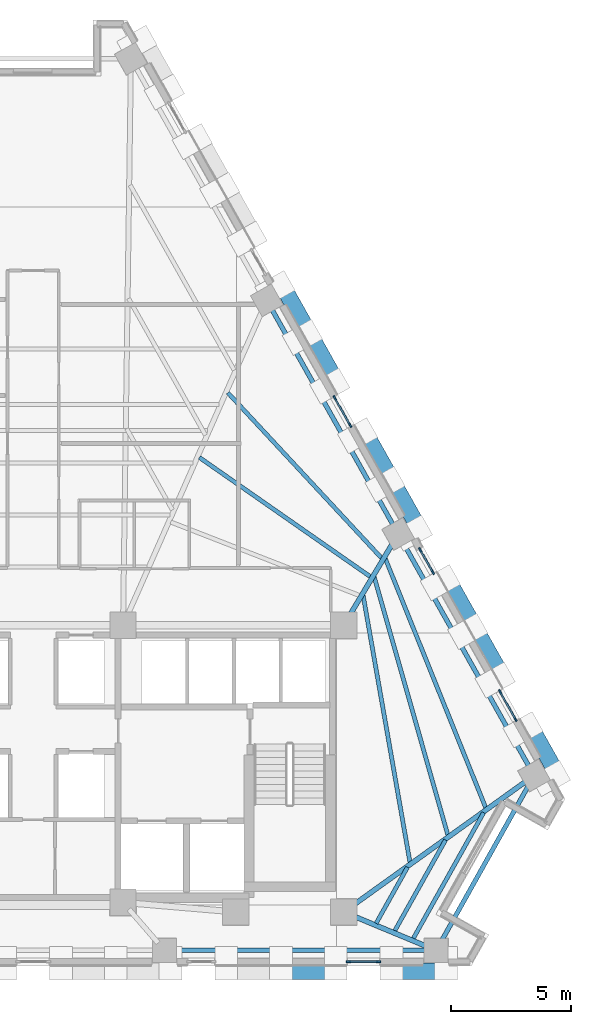
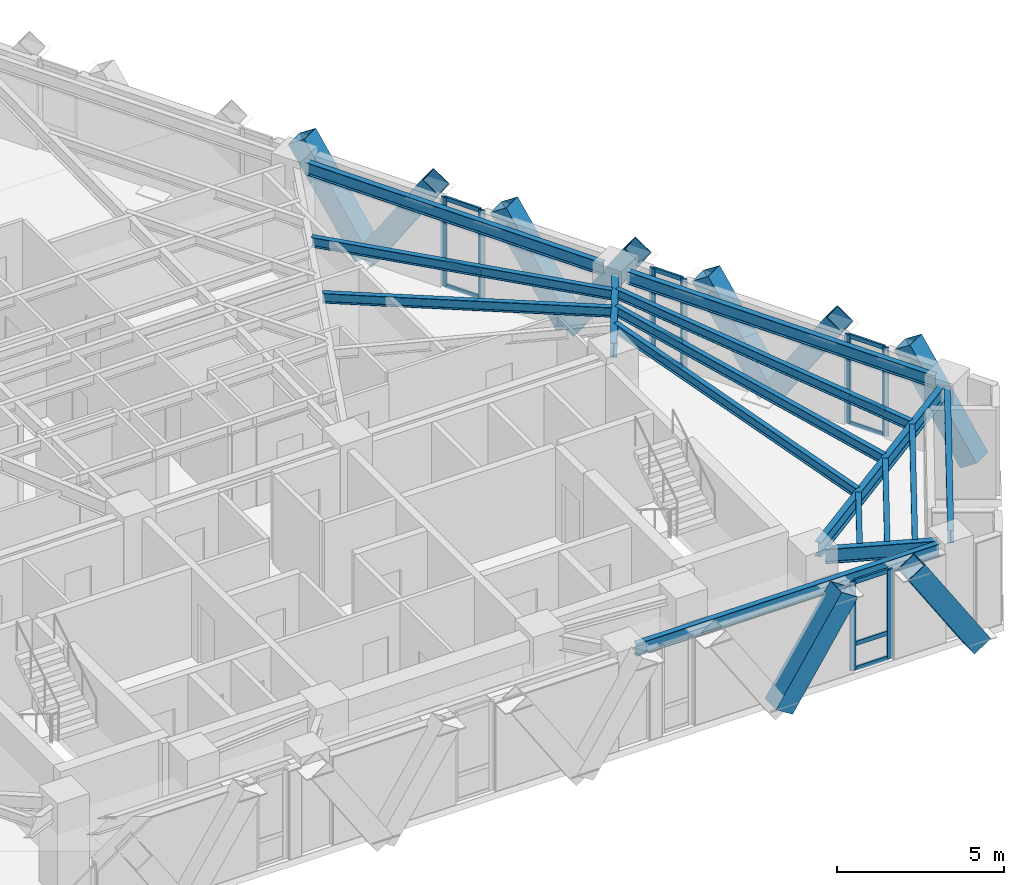
# One storey, part 4 of 13: 29 members, 15 beams, 4 elements without a shape of their own.
"""IFC4 building model written with IfcOpenShell, lengths in metres."""

import ifcopenshell
import ifcopenshell.guid

model = None  # the IFC model being written
_history = None  # IfcOwnerHistory: only IFC2X3 demands one
_inside = {}  # id of a spatial element -> (the spatial element, [elements in it])
_under = {}  # id of a project, library or spatial element -> (it, [spatial elements below it])
_declared = {}  # id of a project -> (the project, [libraries it declares])
_typed = {}  # id of a type object -> (the type object, [elements of that type])
_made_of = {}  # id of a material, layer set ... -> (it, [elements and type objects made of it])


def new_model(schema):
    """Start an empty IFC model of exactly this schema.

    Asked for "IFC4X3", IfcOpenShell would pick the latest addendum, in which some entities
    have other attributes; the version numbers below select the first issue.
    IFC2X3 requires an IfcOwnerHistory on every rooted entity: one is made here for all.
    """
    global model, _history
    if schema == "IFC4X3":
        model = ifcopenshell.file(schema_version=(4, 3, 0, 0))
    else:
        model = ifcopenshell.file(schema=schema)
    _inside.clear()
    _under.clear()
    _declared.clear()
    _typed.clear()
    _made_of.clear()
    _history = None
    if model.schema == "IFC2X3":
        org = make("IfcOrganization", Name="unknown")
        user = make(
            "IfcPersonAndOrganization",
            ThePerson=make("IfcPerson", FamilyName="unknown"),
            TheOrganization=org,
        )
        app = make(
            "IfcApplication",
            ApplicationDeveloper=org,
            Version="unknown",
            ApplicationFullName="unknown",
            ApplicationIdentifier="unknown",
        )
        _history = make(
            "IfcOwnerHistory",
            OwningUser=user,
            OwningApplication=app,
            ChangeAction="ADDED",
            CreationDate=0,
        )
    return model


def make(cls, **values):
    """One entity of the class cls with the attributes given. An attribute that is None is left unset."""
    return model.create_entity(
        cls, **{name: value for name, value in values.items() if value is not None}
    )


def rooted(cls, **values):
    """An entity with a GlobalId (a new one), such as an element, a storey or a relation."""
    return make(cls, GlobalId=ifcopenshell.guid.new(), OwnerHistory=_history, **values)


def si_unit(unit_type, name, prefix=None):
    """IfcSIUnit, for example si_unit("LENGTHUNIT", "METRE", prefix="MILLI")."""
    return make("IfcSIUnit", UnitType=unit_type, Prefix=prefix, Name=name)


def assignment(units):
    """IfcUnitAssignment: the units of a project."""
    return None if units is None else make("IfcUnitAssignment", Units=units)


def point(xyz):
    """IfcCartesianPoint."""
    return None if xyz is None else make("IfcCartesianPoint", Coordinates=xyz)


def direction(xyz):
    """IfcDirection."""
    return None if xyz is None else make("IfcDirection", DirectionRatios=xyz)


def frame(location, z_axis=None, x_axis=None):
    """IfcAxis2Placement3D, a coordinate frame: its origin and axes. An axis left out is left unset."""
    return make(
        "IfcAxis2Placement3D",
        Location=point(location),
        Axis=direction(z_axis),
        RefDirection=direction(x_axis),
    )


def frame_2d(location, x_axis=None):
    """IfcAxis2Placement2D, a coordinate frame in the plane: its origin and x axis."""
    return make(
        "IfcAxis2Placement2D", Location=point(location), RefDirection=direction(x_axis)
    )


def origin():
    """The frame at (0, 0, 0) with its axes left unset."""
    return frame((0.0, 0.0, 0.0))


def origin_2d():
    """The frame at (0, 0) in the plane with its x axis left unset."""
    return frame_2d((0.0, 0.0))


def place(relative_to, where):
    """IfcLocalPlacement: puts the frame where relative to a parent placement (None: the world)."""
    return make(
        "IfcLocalPlacement", PlacementRelTo=relative_to, RelativePlacement=where
    )


def context(
    kind, dimensions, precision=None, world=None, true_north=None, identifier=None
):
    """IfcGeometricRepresentationContext, for example the 3D "Model" context."""
    return make(
        "IfcGeometricRepresentationContext",
        ContextIdentifier=identifier,
        ContextType=kind,
        CoordinateSpaceDimension=dimensions,
        Precision=precision,
        WorldCoordinateSystem=world,
        TrueNorth=true_north,
    )


def subcontext(parent, identifier, kind, view, scale=None):
    """IfcGeometricRepresentationSubContext, for example "Body" below "Model"."""
    return make(
        "IfcGeometricRepresentationSubContext",
        ContextIdentifier=identifier,
        ContextType=kind,
        ParentContext=parent,
        TargetScale=scale,
        TargetView=view,
    )


def project(units=None, contexts=None):
    """IfcProject with its units and contexts."""
    return rooted(
        "IfcProject",
        Name="project",
        RepresentationContexts=contexts,
        UnitsInContext=assignment(units),
    )


def spatial(cls, under=None, at=None, **own):
    """A site, building, storey or space (cls), placed at a placement, below another one or the project."""
    s = rooted(cls, ObjectPlacement=at, **own)
    if under is not None:
        _under.setdefault(under.id(), (under, []))[1].append(s)
    return s


def profile(cls, at=None, kind="AREA", **sizes):
    """A parametric profile (cls). Its sizes go by their IFC names, for example OverallWidth=200.0."""
    return make(cls, ProfileType=kind, Position=at, **sizes)


def rectangle(**sizes):
    """IfcRectangleProfileDef."""
    return profile("IfcRectangleProfileDef", **sizes)


def hollow_rectangle(**sizes):
    """IfcRectangleHollowProfileDef."""
    return profile("IfcRectangleHollowProfileDef", **sizes)


def i_section(**sizes):
    """IfcIShapeProfileDef."""
    return profile("IfcIShapeProfileDef", **sizes)


def extrude(swept, where, along, depth):
    """IfcExtrudedAreaSolid: the profile swept, set in the frame where, extruded along a direction by depth."""
    return make(
        "IfcExtrudedAreaSolid",
        SweptArea=swept,
        Position=where,
        ExtrudedDirection=direction(along),
        Depth=depth,
    )


def shape(context_of_items, identifier, shape_type, items):
    """IfcShapeRepresentation: the items that make up one representation, for example the "Body"."""
    return make(
        "IfcShapeRepresentation",
        ContextOfItems=context_of_items,
        RepresentationIdentifier=identifier,
        RepresentationType=shape_type,
        Items=items,
    )


def material(Name=None, Category=None):
    """IfcMaterial."""
    return make("IfcMaterial", Name=Name, Category=Category)


def material_profile(
    of_material, cross_section, Name=None, Category=None, Priority=None
):
    """IfcMaterialProfile: a cross section and its material."""
    return make(
        "IfcMaterialProfile",
        Name=Name,
        Material=of_material,
        Profile=cross_section,
        Priority=Priority,
        Category=Category,
    )


def profile_set(profiles, Name=None, composite=None):
    """IfcMaterialProfileSet."""
    return make(
        "IfcMaterialProfileSet",
        Name=Name,
        MaterialProfiles=profiles,
        CompositeProfile=composite,
    )


def made_of(thing, what):
    """Note that an element or type object is made of a material, layer set ...; save() writes the relation."""
    if what is not None:
        _made_of.setdefault(what.id(), (what, []))[1].append(thing)
    return thing


def type_object(cls, material=None, **own):
    """A type object (cls), such as IfcWallType, which elements share."""
    return made_of(rooted(cls, **own), material)


def element(
    cls,
    number,
    at=None,
    inside=None,
    cuts=None,
    type_object=None,
    material=None,
    context=None,
    identifier="Body",
    shape_type=None,
    held_by="IfcProductDefinitionShape",
    body=None,
    shapes=None,
    **own,
):
    """One element of the class cls, such as IfcWall. Its Tag is "e" and its number.

    at: its placement. inside: the storey or other place that contains it. cuts: it is an
    opening in that element (IfcRelVoidsElement). A single representation is given by context,
    identifier, shape_type and body (its items); several are given by shapes. held_by: the class
    of the entity that holds the representations. save() writes the other relations.
    """
    e = rooted(cls, Tag="e%d" % number, ObjectPlacement=at, **own)
    if body is not None:
        shapes = [shape(context, identifier, shape_type, body)]
    if shapes is not None:
        e.Representation = make(held_by, Representations=shapes)
    if inside is not None:
        _inside.setdefault(inside.id(), (inside, []))[1].append(e)
    if cuts is not None:
        rooted(
            "IfcRelVoidsElement", RelatingBuildingElement=cuts, RelatedOpeningElement=e
        )
    if type_object is not None:
        _typed.setdefault(type_object.id(), (type_object, []))[1].append(e)
    return made_of(e, material)


def aggregate(whole, parts):
    """IfcRelAggregates: a whole, such as a stair, and the parts it consists of."""
    return rooted("IfcRelAggregates", RelatingObject=whole, RelatedObjects=parts)


def save(model, path):
    """Write the relations noted so far, then the file.

    IfcRelAggregates (storeys below a building ...), IfcRelContainedInSpatialStructure (elements
    in a storey), IfcRelDefinesByType, IfcRelAssociatesMaterial and IfcRelDeclares: one each for
    every whole, place, type object, material and project.
    """
    for whole, parts in _under.values():
        aggregate(whole, parts)
    for where, things in _inside.values():
        rooted(
            "IfcRelContainedInSpatialStructure",
            RelatedElements=things,
            RelatingStructure=where,
        )
    for kind, things in _typed.values():
        rooted("IfcRelDefinesByType", RelatedObjects=things, RelatingType=kind)
    for what, things in _made_of.values():
        rooted("IfcRelAssociatesMaterial", RelatedObjects=things, RelatingMaterial=what)
    for by, libraries in _declared.values():
        rooted("IfcRelDeclares", RelatingContext=by, RelatedDefinitions=libraries)
    model.write(path)


model = new_model("IFC4")

# Units and contexts
model_context = context("Model", 3, precision=1e-05, world=origin(), true_north=direction((0.0, 1.0)))
body_context = subcontext(model_context, "Body", "Model", "MODEL_VIEW")
ifc_project = project(units=[si_unit("LENGTHUNIT", "METRE"), si_unit("AREAUNIT", "SQUARE_METRE"), si_unit("VOLUMEUNIT", "CUBIC_METRE"), si_unit("PLANEANGLEUNIT", "RADIAN"), si_unit("MASSUNIT", "GRAM", prefix="KILO")], contexts=[model_context])

# Site, building, storey
site_placement = place(None, origin())
site = spatial("IfcSite", under=ifc_project, at=site_placement, CompositionType="ELEMENT")
building_placement = place(site_placement, origin())
building = spatial("IfcBuilding", under=site, at=building_placement, Name="Quenlor Broadcast Tower", CompositionType="ELEMENT")
storey_placement = place(building_placement, frame((0.0, 0.0, 151.0)))
storey = spatial("IfcBuildingStorey", under=building, at=storey_placement, Name="L41", CompositionType="ELEMENT", Elevation=151.0)

# Curtain wall, members
ifc_material_1 = material(Name="Architectural Terracotta and Low-E Glazing", Category="masonry")
curtain_wall_type = type_object("IfcCurtainWallType", Name="Unitised Terracotta Curtain Wall System Z3", PredefinedType="NOTDEFINED", material=ifc_material_1)
curtain_wall_1_placement = place(storey_placement, origin())
curtain_wall_1 = element("IfcCurtainWall", 1, at=curtain_wall_1_placement, inside=storey, type_object=curtain_wall_type, Name="L41 Curtain Wall CW3 (L41-SA-G1)", PredefinedType="NOTDEFINED")
ifc_material_2 = material(Name="Aluminium 6063-T6", Category="aluminium")
ifc_material_profile_1 = material_profile(ifc_material_2, rectangle(XDim=0.070068359375, YDim=0.18994140625, at=origin_2d()))
ifc_profile_set_1 = profile_set([ifc_material_profile_1], Name="Aluminium 6063-T6 MULL70x190")
member_type_1 = type_object("IfcMemberType", Name="CW3 Aluminium Mullion MULL_CW3", PredefinedType="MULLION", material=ifc_profile_set_1)
member_1_placement = place(storey_placement, frame((14.409912109375, -18.824951171875, 0.0), z_axis=(0.0, 0.0, 1.0), x_axis=(0.0, -1.0, 0.0)))
member_1 = element("IfcMember", 2, at=member_1_placement, type_object=member_type_1, Name="CW3 mullion 1", PredefinedType="MULLION", context=body_context, shape_type="SweptSolid", body=[
    extrude(rectangle(XDim=0.070068359375, YDim=0.18994140625, at=origin_2d()), origin(), (0.0, 0.0, 1.0), 3.25),
])
member_2_placement = place(storey_placement, frame((13.14208984375, -18.824951171875, 0.0), z_axis=(0.0, 0.0, 1.0), x_axis=(0.0, -1.0, 0.0)))
member_2 = element("IfcMember", 3, at=member_2_placement, type_object=member_type_1, Name="CW3 mullion 2", PredefinedType="MULLION", context=body_context, shape_type="SweptSolid", body=[
    extrude(rectangle(XDim=0.070068359375, YDim=0.18994140625, at=origin_2d()), origin(), (0.0, 0.0, 1.0), 3.25),
])

curtain_wall_2_placement = place(storey_placement, origin())
curtain_wall_2 = element("IfcCurtainWall", 4, at=curtain_wall_2_placement, inside=storey, type_object=curtain_wall_type, Name="L41 Curtain Wall CW3 (L41-NEC-G1)", PredefinedType="NOTDEFINED")
member_3_placement = place(storey_placement, frame((16.137939453125, -1.646728515625, 0.0), z_axis=(0.0, 0.0, 1.0), x_axis=(0.871580169247, 0.490253004657, 0.0)))
member_3 = element("IfcMember", 5, at=member_3_placement, type_object=member_type_1, Name="CW3 mullion 1", PredefinedType="MULLION", context=body_context, shape_type="SweptSolid", body=[
    extrude(rectangle(XDim=0.070068359375, YDim=0.18994140625, at=origin_2d()), origin(), (0.0, 0.0, 1.0), 3.25),
])
member_4_placement = place(storey_placement, frame((16.6689453125, -2.5908203125, 0.0), z_axis=(0.0, 0.0, 1.0), x_axis=(0.871580169247, 0.490253004657, 0.0)))
member_4 = element("IfcMember", 6, at=member_4_placement, type_object=member_type_1, Name="CW3 mullion 2", PredefinedType="MULLION", context=body_context, shape_type="SweptSolid", body=[
    extrude(rectangle(XDim=0.070068359375, YDim=0.18994140625, at=origin_2d()), origin(), (0.0, 0.0, 1.0), 3.25),
])

curtain_wall_3_placement = place(storey_placement, origin())
curtain_wall_3 = element("IfcCurtainWall", 7, at=curtain_wall_3_placement, inside=storey, type_object=curtain_wall_type, Name="L41 Curtain Wall CW3 (L41-NEC-G2)", PredefinedType="NOTDEFINED")
member_5_placement = place(storey_placement, frame((19.47021484375, -7.570556640625, 0.0), z_axis=(0.0, 0.0, 1.0), x_axis=(0.871575537123, 0.490261239636, 0.0)))
member_5 = element("IfcMember", 8, at=member_5_placement, type_object=member_type_1, Name="CW3 mullion 1", PredefinedType="MULLION", context=body_context, shape_type="SweptSolid", body=[
    extrude(rectangle(XDim=0.070068359375, YDim=0.18994140625, at=origin_2d()), origin(), (0.0, 0.0, 1.0), 3.25),
])
member_6_placement = place(storey_placement, frame((20.1171875, -8.720703125, 0.0), z_axis=(0.0, 0.0, 1.0), x_axis=(0.871575537123, 0.490261239636, 0.0)))
member_6 = element("IfcMember", 9, at=member_6_placement, type_object=member_type_1, Name="CW3 mullion 2", PredefinedType="MULLION", context=body_context, shape_type="SweptSolid", body=[
    extrude(rectangle(XDim=0.070068359375, YDim=0.18994140625, at=origin_2d()), origin(), (0.0, 0.0, 1.0), 3.25),
])

curtain_wall_4_placement = place(storey_placement, origin())
curtain_wall_4 = element("IfcCurtainWall", 10, at=curtain_wall_4_placement, inside=storey, type_object=curtain_wall_type, Name="L41 Curtain Wall CW3 (L41-NE-G1)", PredefinedType="NOTDEFINED")
member_7_placement = place(storey_placement, frame((12.573974609375, 4.689208984375, 0.0), z_axis=(0.0, 0.0, 1.0), x_axis=(0.871562085714, 0.490285152484, 0.0)))
member_7 = element("IfcMember", 11, at=member_7_placement, type_object=member_type_1, Name="CW3 mullion 1", PredefinedType="MULLION", context=body_context, shape_type="SweptSolid", body=[
    extrude(rectangle(XDim=0.070068359375, YDim=0.18994140625, at=origin_2d()), origin(), (0.0, 0.0, 1.0), 3.25),
])
member_8_placement = place(storey_placement, frame((13.220947265625, 3.5390625, 0.0), z_axis=(0.0, 0.0, 1.0), x_axis=(0.871562085714, 0.490285152484, 0.0)))
member_8 = element("IfcMember", 12, at=member_8_placement, type_object=member_type_1, Name="CW3 mullion 2", PredefinedType="MULLION", context=body_context, shape_type="SweptSolid", body=[
    extrude(rectangle(XDim=0.070068359375, YDim=0.18994140625, at=origin_2d()), origin(), (0.0, 0.0, 1.0), 3.25),
])

# Member
ifc_material_3 = material(Name="Aluminium 6063-T6", Category="aluminium")
ifc_material_profile_2 = material_profile(ifc_material_3, rectangle(XDim=0.070068359375, YDim=0.155029296875, at=origin_2d()))
ifc_profile_set_2 = profile_set([ifc_material_profile_2], Name="Aluminium 6063-T6 TRAN70x155")
member_type_2 = type_object("IfcMemberType", Name="CW3 Aluminium Transom TRAN_CW3", PredefinedType="USERDEFINED", material=ifc_profile_set_2)
member_9_placement = place(storey_placement, frame((14.375, -18.824951171875, 0.034912109375), z_axis=(-1.0, 0.0, 0.0), x_axis=(0.0, -1.0, 0.0)))
member_9 = element("IfcMember", 13, at=member_9_placement, type_object=member_type_2, Name="CW3 transom 1.1", ObjectType="TRANSOM", PredefinedType="USERDEFINED", context=body_context, shape_type="SweptSolid", body=[
    extrude(rectangle(XDim=0.070068359375, YDim=0.155029296875, at=origin_2d()), origin(), (0.0, 0.0, 1.0), 1.197998046875),
])

member_10_placement = place(storey_placement, frame((14.375, -18.824951171875, 0.949951171875), z_axis=(-1.0, 0.0, 0.0), x_axis=(0.0, -1.0, 0.0)))
member_10 = element("IfcMember", 14, at=member_10_placement, type_object=member_type_2, Name="CW3 transom 1.2", ObjectType="TRANSOM", PredefinedType="USERDEFINED", context=body_context, shape_type="SweptSolid", body=[
    extrude(rectangle(XDim=0.070068359375, YDim=0.155029296875, at=origin_2d()), origin(), (0.0, 0.0, 1.0), 1.197998046875),
])

member_11_placement = place(storey_placement, frame((14.375, -18.824951171875, 3.215087890625), z_axis=(-1.0, 0.0, 0.0), x_axis=(0.0, -1.0, 0.0)))
member_11 = element("IfcMember", 15, at=member_11_placement, type_object=member_type_2, Name="CW3 transom 1.3", ObjectType="TRANSOM", PredefinedType="USERDEFINED", context=body_context, shape_type="SweptSolid", body=[
    extrude(rectangle(XDim=0.070068359375, YDim=0.155029296875, at=origin_2d()), origin(), (0.0, 0.0, 1.0), 1.197998046875),
])

aggregate(curtain_wall_1, [member_1, member_2, member_9, member_10, member_11])

member_12_placement = place(storey_placement, frame((16.1552734375, -1.67724609375, 0.034912109375), z_axis=(0.49015826449, -0.871633452635, 0.0), x_axis=(0.871633452635, 0.49015826449, 0.0)))
member_12 = element("IfcMember", 16, at=member_12_placement, type_object=member_type_2, Name="CW3 transom 1.1", ObjectType="TRANSOM", PredefinedType="USERDEFINED", context=body_context, shape_type="SweptSolid", body=[
    extrude(rectangle(XDim=0.070068359375, YDim=0.155029296875, at=origin_2d()), origin(), (0.0, 0.0, 1.0), 1.01318359375),
])

member_13_placement = place(storey_placement, frame((16.1552734375, -1.67724609375, 0.949951171875), z_axis=(0.49015826449, -0.871633452635, 0.0), x_axis=(0.871633452635, 0.49015826449, 0.0)))
member_13 = element("IfcMember", 17, at=member_13_placement, type_object=member_type_2, Name="CW3 transom 1.2", ObjectType="TRANSOM", PredefinedType="USERDEFINED", context=body_context, shape_type="SweptSolid", body=[
    extrude(rectangle(XDim=0.070068359375, YDim=0.155029296875, at=origin_2d()), origin(), (0.0, 0.0, 1.0), 1.01318359375),
])

member_14_placement = place(storey_placement, frame((16.1552734375, -1.67724609375, 3.215087890625), z_axis=(0.49015826449, -0.871633452635, 0.0), x_axis=(0.871633452635, 0.49015826449, 0.0)))
member_14 = element("IfcMember", 18, at=member_14_placement, type_object=member_type_2, Name="CW3 transom 1.3", ObjectType="TRANSOM", PredefinedType="USERDEFINED", context=body_context, shape_type="SweptSolid", body=[
    extrude(rectangle(XDim=0.070068359375, YDim=0.155029296875, at=origin_2d()), origin(), (0.0, 0.0, 1.0), 1.01318359375),
])

aggregate(curtain_wall_2, [member_3, member_4, member_12, member_13, member_14])

member_15_placement = place(storey_placement, frame((19.4873046875, -7.60107421875, 0.034912109375), z_axis=(0.490363266059, -0.871518139398, 0.0), x_axis=(0.871518139398, 0.490363266059, 0.0)))
member_15 = element("IfcMember", 19, at=member_15_placement, type_object=member_type_2, Name="CW3 transom 1.1", ObjectType="TRANSOM", PredefinedType="USERDEFINED", context=body_context, shape_type="SweptSolid", body=[
    extrude(rectangle(XDim=0.070068359375, YDim=0.155029296875, at=origin_2d()), origin(), (0.0, 0.0, 1.0), 1.249755859375),
])

member_16_placement = place(storey_placement, frame((19.4873046875, -7.60107421875, 0.949951171875), z_axis=(0.490363266059, -0.871518139398, 0.0), x_axis=(0.871518139398, 0.490363266059, 0.0)))
member_16 = element("IfcMember", 20, at=member_16_placement, type_object=member_type_2, Name="CW3 transom 1.2", ObjectType="TRANSOM", PredefinedType="USERDEFINED", context=body_context, shape_type="SweptSolid", body=[
    extrude(rectangle(XDim=0.070068359375, YDim=0.155029296875, at=origin_2d()), origin(), (0.0, 0.0, 1.0), 1.249755859375),
])

member_17_placement = place(storey_placement, frame((19.4873046875, -7.60107421875, 3.215087890625), z_axis=(0.490363266059, -0.871518139398, 0.0), x_axis=(0.871518139398, 0.490363266059, 0.0)))
member_17 = element("IfcMember", 21, at=member_17_placement, type_object=member_type_2, Name="CW3 transom 1.3", ObjectType="TRANSOM", PredefinedType="USERDEFINED", context=body_context, shape_type="SweptSolid", body=[
    extrude(rectangle(XDim=0.070068359375, YDim=0.155029296875, at=origin_2d()), origin(), (0.0, 0.0, 1.0), 1.249755859375),
])

aggregate(curtain_wall_3, [member_5, member_6, member_15, member_16, member_17])

member_18_placement = place(storey_placement, frame((12.591064453125, 4.65869140625, 0.034912109375), z_axis=(0.490363266059, -0.871518139398, 0.0), x_axis=(0.871518139398, 0.490363266059, 0.0)))
member_18 = element("IfcMember", 22, at=member_18_placement, type_object=member_type_2, Name="CW3 transom 1.1", ObjectType="TRANSOM", PredefinedType="USERDEFINED", context=body_context, shape_type="SweptSolid", body=[
    extrude(rectangle(XDim=0.070068359375, YDim=0.155029296875, at=origin_2d()), origin(), (0.0, 0.0, 1.0), 1.249755859375),
])

member_19_placement = place(storey_placement, frame((12.591064453125, 4.65869140625, 0.949951171875), z_axis=(0.490363266059, -0.871518139398, 0.0), x_axis=(0.871518139398, 0.490363266059, 0.0)))
member_19 = element("IfcMember", 23, at=member_19_placement, type_object=member_type_2, Name="CW3 transom 1.2", ObjectType="TRANSOM", PredefinedType="USERDEFINED", context=body_context, shape_type="SweptSolid", body=[
    extrude(rectangle(XDim=0.070068359375, YDim=0.155029296875, at=origin_2d()), origin(), (0.0, 0.0, 1.0), 1.249755859375),
])

member_20_placement = place(storey_placement, frame((12.591064453125, 4.65869140625, 3.215087890625), z_axis=(0.490363266059, -0.871518139398, 0.0), x_axis=(0.871518139398, 0.490363266059, 0.0)))
member_20 = element("IfcMember", 24, at=member_20_placement, type_object=member_type_2, Name="CW3 transom 1.3", ObjectType="TRANSOM", PredefinedType="USERDEFINED", context=body_context, shape_type="SweptSolid", body=[
    extrude(rectangle(XDim=0.070068359375, YDim=0.155029296875, at=origin_2d()), origin(), (0.0, 0.0, 1.0), 1.249755859375),
])

aggregate(curtain_wall_4, [member_7, member_8, member_18, member_19, member_20])

# Members
ifc_material_4 = material(Name="Steel S355", Category="steel")
ifc_material_profile_3 = material_profile(ifc_material_4, hollow_rectangle(XDim=0.679931640625, YDim=0.679931640625, WallThickness=0.02490234375, at=origin_2d()))
ifc_profile_set_3 = profile_set([ifc_material_profile_3], Name="Steel S355 RHS680x680x25")
member_type_3 = type_object("IfcMemberType", Name="Perimeter Diagonal Lattice Brace Z3-Z4 Steel S355 RHS680x25", PredefinedType="BRACE", material=ifc_profile_set_3)
for number, where, z_axis, x_axis, name in (
    (25, (17.206298828125, -19.219970703125, -0.1201171875), (-0.543901560697, 0.0, 0.839149028643), (0.0, -1.0, 0.0), "L41 Perimeter Diamond Lattice S-C1S"),
    (26, (10.345703125, -19.219970703125, -0.1201171875), (0.543901560697, 0.0, 0.839149028643), (0.0, 1.0, 0.0), "L41 Perimeter Diamond Lattice S-C1B"),
):
    element("IfcMember", number, at=place(storey_placement, frame(where, z_axis=z_axis, x_axis=x_axis)), inside=storey, type_object=member_type_3, Name=name, PredefinedType="BRACE", context=body_context, shape_type="SweptSolid", body=[
        extrude(hollow_rectangle(XDim=0.679931640625, YDim=0.679931640625, WallThickness=0.02490234375, at=origin_2d()), origin(), (0.0, 0.0, 1.0), 4.1708984375),
    ])
for number, where, z_axis, x_axis, name in (
    (27, (11.5107421875, 7.385009765625, -0.1201171875), (-0.2705491942, 0.481008661973, 0.833926735766), (-0.871589611547, -0.490236217596, 0.0), "L41 Perimeter Diamond Lattice NE-C2B"),
    (28, (11.524658203125, 7.360595703125, -0.1201171875), (0.2705491942, -0.481008661973, 0.833926735766), (0.871589611547, 0.490236217596, 0.0), "L41 Perimeter Diamond Lattice NE-C3S"),
    (29, (14.958984375, 1.255126953125, -0.1201171875), (-0.2705491942, 0.481008661973, 0.833926735766), (-0.871589611547, -0.490236217596, 0.0), "L41 Perimeter Diamond Lattice NE-C3B"),
    (30, (14.97265625, 1.230712890625, -0.1201171875), (0.27060310517, -0.481001091283, 0.833913610428), (0.871544572467, 0.490316283845, 0.0), "L41 Perimeter Diamond Lattice NE-C4S"),
    (31, (18.406982421875, -4.874755859375, -0.1201171875), (-0.2705491942, 0.481008661973, 0.833926735766), (-0.871589611547, -0.490236217596, 0.0), "L41 Perimeter Diamond Lattice NE-C4B"),
    (32, (18.4208984375, -4.8994140625, -0.1201171875), (0.2705491942, -0.481008661973, 0.833926735766), (0.871589611547, 0.490236217596, 0.0), "L41 Perimeter Diamond Lattice NE-C5S"),
    (33, (21.85498046875, -11.004638671875, -0.1201171875), (-0.2705491942, 0.481008661973, 0.833926735766), (-0.871589611547, -0.490236217596, 0.0), "L41 Perimeter Diamond Lattice NE-C5B"),
):
    element("IfcMember", number, at=place(storey_placement, frame(where, z_axis=z_axis, x_axis=x_axis)), inside=storey, type_object=member_type_3, Name=name, PredefinedType="BRACE", context=body_context, shape_type="SweptSolid", body=[
        extrude(hollow_rectangle(XDim=0.679931640625, YDim=0.679931640625, WallThickness=0.02490234375, at=origin_2d()), origin(), (0.0, 0.0, 1.0), 4.197021484375),
    ])

# Beams
ifc_material_5 = material(Name="Steel S355", Category="steel")
ifc_material_profile_4 = material_profile(ifc_material_5, i_section(OverallWidth=0.19091796875, OverallDepth=0.46044921875, WebThickness=0.010009765625, FlangeThickness=0.01611328125, FilletRadius=0.011474609375, at=origin_2d()))
ifc_profile_set_4 = profile_set([ifc_material_profile_4], Name="Steel S355 460UB82.1")
beam_type_1 = type_object("IfcBeamType", Name="Perimeter Spandrel Beam Z3 Steel S355 460UB82.1", PredefinedType="SPANDREL", material=ifc_profile_set_4)
beam_1_placement = place(storey_placement, frame((5.89111328125, -18.35009765625, 3.019775390625), z_axis=(1.0, 0.0, 0.0), x_axis=(0.0, 1.0, 0.0)))
element("IfcBeam", 34, at=beam_1_placement, inside=storey, type_object=beam_type_1, Name="L41 Spandrel Beam S3-S4", PredefinedType="SPANDREL", context=body_context, shape_type="SweptSolid", body=[
    extrude(i_section(OverallWidth=0.19091796875, OverallDepth=0.46044921875, WebThickness=0.010009765625, FlangeThickness=0.01611328125, FilletRadius=0.011474609375, at=origin_2d()), origin(), (0.0, 0.0, 1.0), 10.50732421875),
])
beam_2_placement = place(storey_placement, frame((17.008544921875, -17.9921875, 3.019775390625), z_axis=(0.488298439934, 0.872676706208, 0.0), x_axis=(-0.872676706208, 0.488298439934, 0.0)))
element("IfcBeam", 35, at=beam_2_placement, inside=storey, type_object=beam_type_1, Name="L41 Spandrel Beam S4-NE1", PredefinedType="SPANDREL", context=body_context, shape_type="SweptSolid", body=[
    extrude(i_section(OverallWidth=0.19091796875, OverallDepth=0.46044921875, WebThickness=0.010009765625, FlangeThickness=0.01611328125, FilletRadius=0.011474609375, at=origin_2d()), origin(), (0.0, 0.0, 1.0), 7.5341796875),
])
beam_3_placement = place(storey_placement, frame((20.686767578125, -10.7021484375, 3.019775390625), z_axis=(-0.490257999604, 0.871577359633, 0.0), x_axis=(-0.871577359633, -0.490257999604, 0.0)))
element("IfcBeam", 36, at=beam_3_placement, inside=storey, type_object=beam_type_1, Name="L41 Spandrel Beam NE1-NE2", PredefinedType="SPANDREL", context=body_context, shape_type="SweptSolid", body=[
    extrude(i_section(OverallWidth=0.19091796875, OverallDepth=0.46044921875, WebThickness=0.010009765625, FlangeThickness=0.01611328125, FilletRadius=0.011474609375, at=origin_2d()), origin(), (0.0, 0.0, 1.0), 10.732666015625),
])
beam_4_placement = place(storey_placement, frame((15.02294921875, -0.63330078125, 3.019775390625), z_axis=(-0.490252288562, 0.871580572041, 0.0), x_axis=(-0.871580572041, -0.490252288562, 0.0)))
element("IfcBeam", 37, at=beam_4_placement, inside=storey, type_object=beam_type_1, Name="L41 Spandrel Beam NE2-NE3", PredefinedType="SPANDREL", context=body_context, shape_type="SweptSolid", body=[
    extrude(i_section(OverallWidth=0.19091796875, OverallDepth=0.46044921875, WebThickness=0.010009765625, FlangeThickness=0.01611328125, FilletRadius=0.011474609375, at=origin_2d()), origin(), (0.0, 0.0, 1.0), 10.359619140625),
])
ifc_material_6 = material(Name="Steel S355", Category="steel")
ifc_material_profile_5 = material_profile(ifc_material_6, i_section(OverallWidth=0.172119140625, OverallDepth=0.358642578125, WebThickness=0.008056640625, FlangeThickness=0.012939453125, FilletRadius=0.011474609375, at=origin_2d()))
ifc_profile_set_5 = profile_set([ifc_material_profile_5], Name="Steel S355 360UB56.7")
beam_type_2 = type_object("IfcBeamType", Name="Tower Composite Joist Z2-Z3 Steel S355 360UB56.7", PredefinedType="JOIST", material=ifc_profile_set_5)
beam_5_placement = place(storey_placement, frame((14.06689453125, -2.7734375, 3.07080078125), z_axis=(-0.82026568394, 0.57198269882, 0.0), x_axis=(-0.57198269882, -0.82026568394, 0.0)))
element("IfcBeam", 38, at=beam_5_placement, inside=storey, type_object=beam_type_2, Name="L41 Secondary Composite Joist 11", PredefinedType="JOIST", context=body_context, shape_type="SweptSolid", body=[
    extrude(i_section(OverallWidth=0.172119140625, OverallDepth=0.358642578125, WebThickness=0.008056640625, FlangeThickness=0.012939453125, FilletRadius=0.011474609375, at=origin_2d()), origin(), (0.0, 0.0, 1.0), 8.698486328125),
])
beam_6_placement = place(storey_placement, frame((14.53271484375, -1.998779296875, 3.07080078125), z_axis=(-0.680873505991, 0.732401030065, 0.0), x_axis=(-0.732401030065, -0.680873505991, 0.0)))
element("IfcBeam", 39, at=beam_6_placement, inside=storey, type_object=beam_type_2, Name="L41 Secondary Composite Joist 12", PredefinedType="JOIST", context=body_context, shape_type="SweptSolid", body=[
    extrude(i_section(OverallWidth=0.172119140625, OverallDepth=0.358642578125, WebThickness=0.008056640625, FlangeThickness=0.012939453125, FilletRadius=0.011474609375, at=origin_2d()), origin(), (0.0, 0.0, 1.0), 9.419189453125),
])
beam_7_placement = place(storey_placement, frame((15.71435546875, -14.679443359375, 3.07080078125), z_axis=(-0.172906811417, 0.984938188195, 0.0), x_axis=(-0.984938188195, -0.172906811417, 0.0)))
element("IfcBeam", 40, at=beam_7_placement, inside=storey, type_object=beam_type_2, Name="L41 Secondary Composite Joist 16", PredefinedType="JOIST", context=body_context, shape_type="SweptSolid", body=[
    extrude(i_section(OverallWidth=0.172119140625, OverallDepth=0.358642578125, WebThickness=0.008056640625, FlangeThickness=0.012939453125, FilletRadius=0.011474609375, at=origin_2d()), origin(), (0.0, 0.0, 1.0), 11.30419921875),
])
beam_8_placement = place(storey_placement, frame((17.293701171875, -13.543212890625, 3.07080078125), z_axis=(-0.274418577045, 0.961610339261, 0.0), x_axis=(-0.961610339261, -0.274418577045, 0.0)))
element("IfcBeam", 41, at=beam_8_placement, inside=storey, type_object=beam_type_2, Name="L41 Secondary Composite Joist 17", PredefinedType="JOIST", context=body_context, shape_type="SweptSolid", body=[
    extrude(i_section(OverallWidth=0.172119140625, OverallDepth=0.358642578125, WebThickness=0.008056640625, FlangeThickness=0.012939453125, FilletRadius=0.011474609375, at=origin_2d()), origin(), (0.0, 0.0, 1.0), 11.191162109375),
])
beam_9_placement = place(storey_placement, frame((18.873291015625, -12.407958984375, 3.07080078125), z_axis=(-0.373824118901, 0.927499610851, 0.0), x_axis=(-0.927499610851, -0.373824118901, 0.0)))
element("IfcBeam", 42, at=beam_9_placement, inside=storey, type_object=beam_type_2, Name="L41 Secondary Composite Joist 18", PredefinedType="JOIST", context=body_context, shape_type="SweptSolid", body=[
    extrude(i_section(OverallWidth=0.172119140625, OverallDepth=0.358642578125, WebThickness=0.008056640625, FlangeThickness=0.012939453125, FilletRadius=0.011474609375, at=origin_2d()), origin(), (0.0, 0.0, 1.0), 11.203125),
])
beam_10_placement = place(storey_placement, frame((14.30078125, -17.22412109375, 3.07080078125), z_axis=(0.488370382241, 0.87263644764, 0.0), x_axis=(-0.87263644764, 0.488370382241, 0.0)))
element("IfcBeam", 43, at=beam_10_placement, inside=storey, type_object=beam_type_2, Name="L41 Secondary Composite Joist 22", PredefinedType="JOIST", context=body_context, shape_type="SweptSolid", body=[
    extrude(i_section(OverallWidth=0.172119140625, OverallDepth=0.358642578125, WebThickness=0.008056640625, FlangeThickness=0.012939453125, FilletRadius=0.011474609375, at=origin_2d()), origin(), (0.0, 0.0, 1.0), 2.680419921875),
])
beam_11_placement = place(storey_placement, frame((15.072509765625, -17.544189453125, 3.07080078125), z_axis=(0.488294103756, 0.872679132463, 0.0), x_axis=(-0.872679132463, 0.488294103756, 0.0)))
element("IfcBeam", 44, at=beam_11_placement, inside=storey, type_object=beam_type_2, Name="L41 Secondary Composite Joist 23", PredefinedType="JOIST", context=body_context, shape_type="SweptSolid", body=[
    extrude(i_section(OverallWidth=0.172119140625, OverallDepth=0.358642578125, WebThickness=0.008056640625, FlangeThickness=0.012939453125, FilletRadius=0.011474609375, at=origin_2d()), origin(), (0.0, 0.0, 1.0), 4.351318359375),
])
beam_12_placement = place(storey_placement, frame((15.84423828125, -17.8642578125, 3.07080078125), z_axis=(0.488308300212, 0.872671188905, 0.0), x_axis=(-0.872671188905, 0.488308300212, 0.0)))
element("IfcBeam", 45, at=beam_12_placement, inside=storey, type_object=beam_type_2, Name="L41 Secondary Composite Joist 24", PredefinedType="JOIST", context=body_context, shape_type="SweptSolid", body=[
    extrude(i_section(OverallWidth=0.172119140625, OverallDepth=0.358642578125, WebThickness=0.008056640625, FlangeThickness=0.012939453125, FilletRadius=0.011474609375, at=origin_2d()), origin(), (0.0, 0.0, 1.0), 6.022216796875),
])
ifc_material_7 = material(Name="Steel S355", Category="steel")
ifc_material_profile_6 = material_profile(ifc_material_7, i_section(OverallWidth=0.208984375, OverallDepth=0.532958984375, WebThickness=0.01025390625, FlangeThickness=0.015625, FilletRadius=0.013916015625, at=origin_2d()))
ifc_profile_set_6 = profile_set([ifc_material_profile_6], Name="Steel S355 530UB92.4")
beam_type_3 = type_object("IfcBeamType", Name="Tower Primary Floor Beam Z3 Steel S355 530UB92.4", PredefinedType="BEAM", material=ifc_profile_set_6)
beam_13_placement = place(storey_placement, frame((16.4296875, -18.19287109375, 2.9833984375), z_axis=(-0.923730294618, 0.383043525993, 0.0), x_axis=(-0.383043525993, -0.923730294618, 0.0)))
element("IfcBeam", 46, at=beam_13_placement, inside=storey, type_object=beam_type_3, Name="L41 Primary Radial Beam S4", PredefinedType="BEAM", context=body_context, shape_type="SweptSolid", body=[
    extrude(i_section(OverallWidth=0.208984375, OverallDepth=0.532958984375, WebThickness=0.01025390625, FlangeThickness=0.015625, FilletRadius=0.013916015625, at=origin_2d()), origin(), (0.0, 0.0, 1.0), 3.386962890625),
])
beam_14_placement = place(storey_placement, frame((20.554443359375, -11.29833984375, 2.9833984375), z_axis=(-0.812728908832, -0.582642017666, 0.0), x_axis=(0.582642017666, -0.812728908832, 0.0)))
element("IfcBeam", 47, at=beam_14_placement, inside=storey, type_object=beam_type_3, Name="L41 Primary Radial Beam NE1", PredefinedType="BEAM", context=body_context, shape_type="SweptSolid", body=[
    extrude(i_section(OverallWidth=0.208984375, OverallDepth=0.532958984375, WebThickness=0.01025390625, FlangeThickness=0.015625, FilletRadius=0.013916015625, at=origin_2d()), origin(), (0.0, 0.0, 1.0), 8.976806640625),
])
beam_15_placement = place(storey_placement, frame((15.013916015625, -1.3427734375, 2.9833984375), z_axis=(-0.512604023694, -0.858625130597, 0.0), x_axis=(0.858625130597, -0.512604023694, 0.0)))
element("IfcBeam", 48, at=beam_15_placement, inside=storey, type_object=beam_type_3, Name="L41 Primary Radial Beam NE2", PredefinedType="BEAM", context=body_context, shape_type="SweptSolid", body=[
    extrude(i_section(OverallWidth=0.208984375, OverallDepth=0.532958984375, WebThickness=0.01025390625, FlangeThickness=0.015625, FilletRadius=0.013916015625, at=origin_2d()), origin(), (0.0, 0.0, 1.0), 3.646484375),
])

save(model, "model.ifc")
